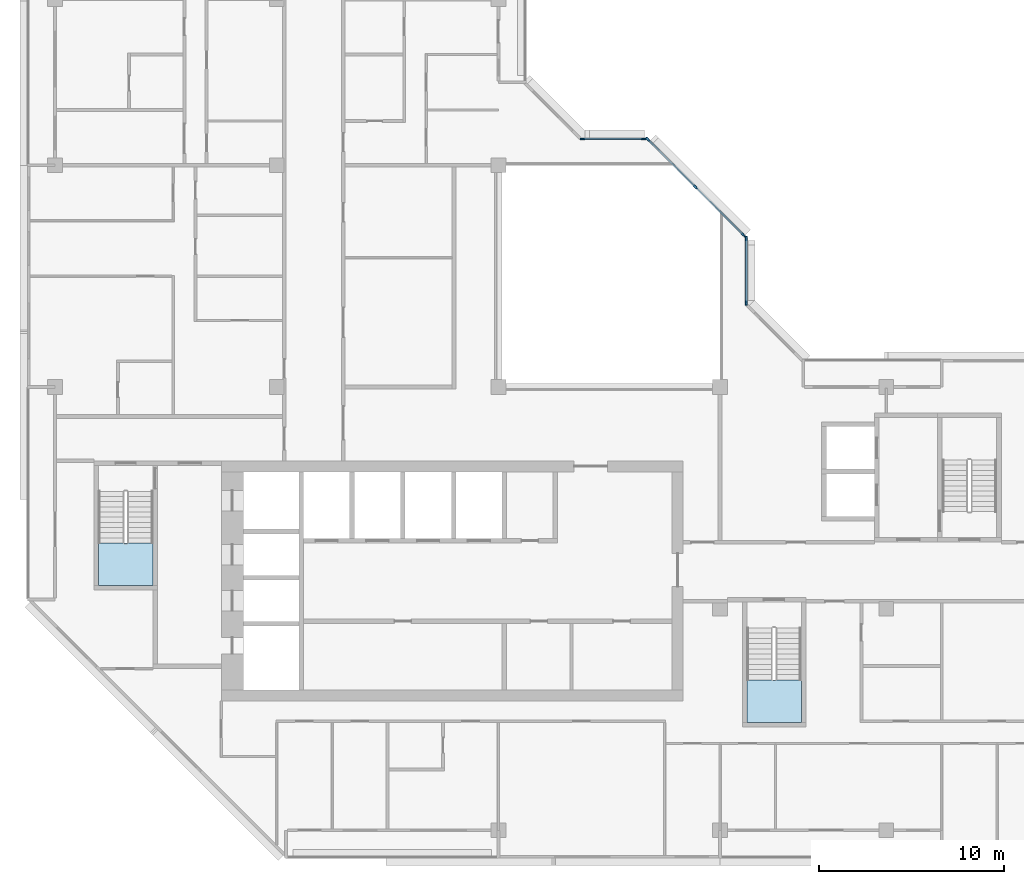
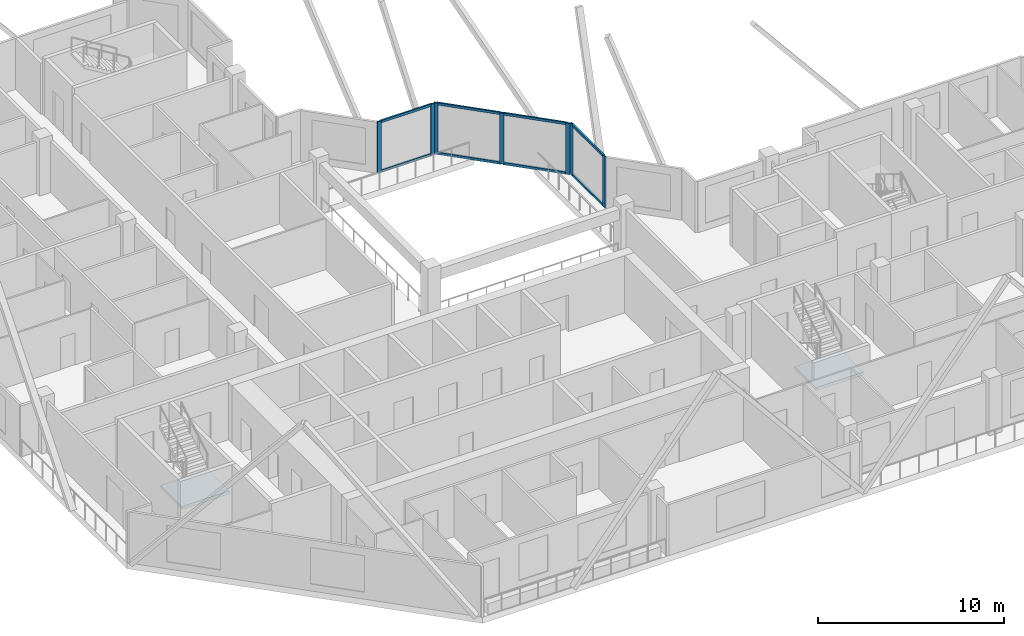
# One storey, part 2 of 13: 15 members, 2 slabs, 5 elements without a shape of their own.
"""IFC4 building model written with IfcOpenShell, lengths in metres."""

from ifc_helpers import new_model, si_unit, direction, frame, origin, origin_2d, place, context, subcontext, project, spatial, polyline, rectangle, outline, extrude, material, layer, layer_set, material_profile, profile_set, type_object, element, aggregate, save


model = new_model("IFC4")

# Units and contexts
model_context = context("Model", 3, precision=1e-05, world=origin(), true_north=direction((0.0, 1.0)))
body_context = subcontext(model_context, "Body", "Model", "MODEL_VIEW")
ifc_project = project(units=[si_unit("LENGTHUNIT", "METRE"), si_unit("AREAUNIT", "SQUARE_METRE"), si_unit("VOLUMEUNIT", "CUBIC_METRE"), si_unit("PLANEANGLEUNIT", "RADIAN"), si_unit("MASSUNIT", "GRAM", prefix="KILO")], contexts=[model_context])

# Site, building, storey
site_placement = place(None, origin())
site = spatial("IfcSite", under=ifc_project, at=site_placement, CompositionType="ELEMENT")
building_placement = place(site_placement, origin())
building = spatial("IfcBuilding", under=site, at=building_placement, Name="Chenar Terraces", CompositionType="ELEMENT")
storey_placement = place(building_placement, frame((0.0, 0.0, 310.89990234375)))
storey = spatial("IfcBuildingStorey", under=building, at=storey_placement, Name="L73", CompositionType="ELEMENT", Elevation=310.89990234375)

# Curtain wall, members
ifc_material_1 = material(Name="Aluminium framed glazing", Category="aluminium")
ifc_layer_1 = layer(ifc_material_1, 0.14990234375)
ifc_layer_set_1 = layer_set([ifc_layer_1], Name="Aluminium framed glazing")
curtain_wall_type = type_object("IfcCurtainWallType", Name="Atrium upper-zone curtain wall", PredefinedType="NOTDEFINED", material=ifc_layer_set_1)
placement_1 = place(storey_placement, origin())
curtain_wall_1 = element("IfcCurtainWall", 1, at=placement_1, inside=storey, type_object=curtain_wall_type, Name="Atrium upper-zone curtain wall", PredefinedType="NOTDEFINED")
ifc_material_2 = material(Name="Aluminium", Category="aluminium")
ifc_material_profile_1 = material_profile(ifc_material_2, rectangle(XDim=0.10009765625, YDim=0.239990234375, at=origin_2d()), Name="Atrium upper-zone glazing mullion 100 x 240")
ifc_profile_set_1 = profile_set([ifc_material_profile_1], Name="Aluminium")
member_type_1 = type_object("IfcMemberType", Name="Atrium upper-zone glazing mullion 100 x 240", PredefinedType="MULLION", material=ifc_profile_set_1)
member_1_placement = place(storey_placement, frame((37.425048828125, 28.550048828125, 0.0), z_axis=(0.0, 0.0, 1.0), x_axis=(-1.0, 0.0, 0.0)))
member_1 = element("IfcMember", 2, at=member_1_placement, type_object=member_type_1, Name="CW8-1 mullion 1", PredefinedType="MULLION", context=body_context, shape_type="SweptSolid", body=[
    extrude(rectangle(XDim=0.10009765625, YDim=0.239990234375, at=origin_2d()), origin(), (0.0, 0.0, 1.0), 3.35009765625),
])
member_2_placement = place(storey_placement, frame((37.425048828125, 32.050048828125, 0.0), z_axis=(0.0, 0.0, 1.0), x_axis=(-1.0, 0.0, 0.0)))
member_2 = element("IfcMember", 3, at=member_2_placement, type_object=member_type_1, Name="CW8-1 mullion 2", PredefinedType="MULLION", context=body_context, shape_type="SweptSolid", body=[
    extrude(rectangle(XDim=0.10009765625, YDim=0.239990234375, at=origin_2d()), origin(), (0.0, 0.0, 1.0), 3.35009765625),
])

curtain_wall_2 = element("IfcCurtainWall", 4, at=placement_1, inside=storey, type_object=curtain_wall_type, Name="Atrium upper-zone curtain wall", PredefinedType="NOTDEFINED")
member_3_placement = place(storey_placement, frame((37.270263671875, 32.2236328125, 0.0), z_axis=(0.0, 0.0, 1.0), x_axis=(-0.707106781187, -0.707106781187, 0.0)))
member_3 = element("IfcMember", 5, at=member_3_placement, type_object=member_type_1, Name="CW8-2 mullion 1", PredefinedType="MULLION", context=body_context, shape_type="SweptSolid", body=[
    extrude(rectangle(XDim=0.10009765625, YDim=0.239990234375, at=origin_2d()), origin(), (0.0, 0.0, 1.0), 3.35009765625),
])
member_4_placement = place(storey_placement, frame((34.67626953125, 34.817626953125, 0.0), z_axis=(0.0, 0.0, 1.0), x_axis=(-0.707106781187, -0.707106781187, 0.0)))
member_4 = element("IfcMember", 6, at=member_4_placement, type_object=member_type_1, Name="CW8-2 mullion 2", PredefinedType="MULLION", context=body_context, shape_type="SweptSolid", body=[
    extrude(rectangle(XDim=0.10009765625, YDim=0.239990234375, at=origin_2d()), origin(), (0.0, 0.0, 1.0), 3.35009765625),
])
member_5_placement = place(storey_placement, frame((32.082275390625, 37.41162109375, 0.0), z_axis=(0.0, 0.0, 1.0), x_axis=(-0.707106781187, -0.707106781187, 0.0)))
member_5 = element("IfcMember", 7, at=member_5_placement, type_object=member_type_1, Name="CW8-2 mullion 3", PredefinedType="MULLION", context=body_context, shape_type="SweptSolid", body=[
    extrude(rectangle(XDim=0.10009765625, YDim=0.239990234375, at=origin_2d()), origin(), (0.0, 0.0, 1.0), 3.35009765625),
])

curtain_wall_3 = element("IfcCurtainWall", 8, at=placement_1, inside=storey, type_object=curtain_wall_type, Name="Atrium upper-zone curtain wall", PredefinedType="NOTDEFINED")
member_6_placement = place(storey_placement, frame((31.85009765625, 37.425048828125, 0.0), z_axis=(0.0, 0.0, 1.0), x_axis=(0.0, -1.0, 0.0)))
member_6 = element("IfcMember", 9, at=member_6_placement, type_object=member_type_1, Name="CW8-3 mullion 1", PredefinedType="MULLION", context=body_context, shape_type="SweptSolid", body=[
    extrude(rectangle(XDim=0.10009765625, YDim=0.239990234375, at=origin_2d()), origin(), (0.0, 0.0, 1.0), 3.35009765625),
])
member_7_placement = place(storey_placement, frame((28.550048828125, 37.425048828125, 0.0), z_axis=(0.0, 0.0, 1.0), x_axis=(0.0, -1.0, 0.0)))
member_7 = element("IfcMember", 10, at=member_7_placement, type_object=member_type_1, Name="CW8-3 mullion 2", PredefinedType="MULLION", context=body_context, shape_type="SweptSolid", body=[
    extrude(rectangle(XDim=0.10009765625, YDim=0.239990234375, at=origin_2d()), origin(), (0.0, 0.0, 1.0), 3.35009765625),
])

# Member
ifc_material_3 = material(Name="Aluminium", Category="aluminium")
ifc_material_profile_2 = material_profile(ifc_material_3, rectangle(XDim=0.10009765625, YDim=0.159912109375, at=origin_2d()), Name="Atrium upper-zone glazing transom 100 x 160")
ifc_profile_set_2 = profile_set([ifc_material_profile_2], Name="Aluminium")
member_type_2 = type_object("IfcMemberType", Name="Atrium upper-zone glazing transom 100 x 160", PredefinedType="USERDEFINED", material=ifc_profile_set_2)
member_8_placement = place(storey_placement, frame((37.425048828125, 28.60009765625, 0.050048828125), z_axis=(0.0, 1.0, 0.0), x_axis=(-1.0, 0.0, 0.0)))
member_8 = element("IfcMember", 11, at=member_8_placement, type_object=member_type_2, Name="CW8-1 transom 1.1", ObjectType="TRANSOM", PredefinedType="USERDEFINED", context=body_context, shape_type="SweptSolid", body=[
    extrude(rectangle(XDim=0.10009765625, YDim=0.159912109375, at=origin_2d()), origin(), (0.0, 0.0, 1.0), 3.39990234375),
])

member_9_placement = place(storey_placement, frame((37.425048828125, 28.60009765625, 3.300048828125), z_axis=(0.0, 1.0, 0.0), x_axis=(-1.0, 0.0, 0.0)))
member_9 = element("IfcMember", 12, at=member_9_placement, type_object=member_type_2, Name="CW8-1 transom 1.2", ObjectType="TRANSOM", PredefinedType="USERDEFINED", context=body_context, shape_type="SweptSolid", body=[
    extrude(rectangle(XDim=0.10009765625, YDim=0.159912109375, at=origin_2d()), origin(), (0.0, 0.0, 1.0), 3.39990234375),
])

aggregate(curtain_wall_1, [member_1, member_2, member_8, member_9])

member_10_placement = place(storey_placement, frame((37.23486328125, 32.259033203125, 0.050048828125), z_axis=(-0.707106781187, 0.707106781187, 0.0), x_axis=(-0.707106781187, -0.707106781187, 0.0)))
member_10 = element("IfcMember", 13, at=member_10_placement, type_object=member_type_2, Name="CW8-2 transom 1.1", ObjectType="TRANSOM", PredefinedType="USERDEFINED", context=body_context, shape_type="SweptSolid", body=[
    extrude(rectangle(XDim=0.10009765625, YDim=0.159912109375, at=origin_2d()), origin(), (0.0, 0.0, 1.0), 3.568359375),
])

member_11_placement = place(storey_placement, frame((37.23486328125, 32.259033203125, 3.300048828125), z_axis=(-0.707106781187, 0.707106781187, 0.0), x_axis=(-0.707106781187, -0.707106781187, 0.0)))
member_11 = element("IfcMember", 14, at=member_11_placement, type_object=member_type_2, Name="CW8-2 transom 1.2", ObjectType="TRANSOM", PredefinedType="USERDEFINED", context=body_context, shape_type="SweptSolid", body=[
    extrude(rectangle(XDim=0.10009765625, YDim=0.159912109375, at=origin_2d()), origin(), (0.0, 0.0, 1.0), 3.568359375),
])

member_12_placement = place(storey_placement, frame((34.640869140625, 34.85302734375, 0.050048828125), z_axis=(-0.707106781187, 0.707106781187, 0.0), x_axis=(-0.707106781187, -0.707106781187, 0.0)))
member_12 = element("IfcMember", 15, at=member_12_placement, type_object=member_type_2, Name="CW8-2 transom 2.1", ObjectType="TRANSOM", PredefinedType="USERDEFINED", context=body_context, shape_type="SweptSolid", body=[
    extrude(rectangle(XDim=0.10009765625, YDim=0.159912109375, at=origin_2d()), origin(), (0.0, 0.0, 1.0), 3.568359375),
])

member_13_placement = place(storey_placement, frame((34.640869140625, 34.85302734375, 3.300048828125), z_axis=(-0.707106781187, 0.707106781187, 0.0), x_axis=(-0.707106781187, -0.707106781187, 0.0)))
member_13 = element("IfcMember", 16, at=member_13_placement, type_object=member_type_2, Name="CW8-2 transom 2.2", ObjectType="TRANSOM", PredefinedType="USERDEFINED", context=body_context, shape_type="SweptSolid", body=[
    extrude(rectangle(XDim=0.10009765625, YDim=0.159912109375, at=origin_2d()), origin(), (0.0, 0.0, 1.0), 3.568359375),
])

aggregate(curtain_wall_2, [member_3, member_4, member_5, member_10, member_11, member_12, member_13])

member_14_placement = place(storey_placement, frame((31.800048828125, 37.425048828125, 0.050048828125), z_axis=(-1.0, 0.0, 0.0), x_axis=(0.0, -1.0, 0.0)))
member_14 = element("IfcMember", 17, at=member_14_placement, type_object=member_type_2, Name="CW8-3 transom 1.1", ObjectType="TRANSOM", PredefinedType="USERDEFINED", context=body_context, shape_type="SweptSolid", body=[
    extrude(rectangle(XDim=0.10009765625, YDim=0.159912109375, at=origin_2d()), origin(), (0.0, 0.0, 1.0), 3.199951171875),
])

member_15_placement = place(storey_placement, frame((31.800048828125, 37.425048828125, 3.300048828125), z_axis=(-1.0, 0.0, 0.0), x_axis=(0.0, -1.0, 0.0)))
member_15 = element("IfcMember", 18, at=member_15_placement, type_object=member_type_2, Name="CW8-3 transom 1.2", ObjectType="TRANSOM", PredefinedType="USERDEFINED", context=body_context, shape_type="SweptSolid", body=[
    extrude(rectangle(XDim=0.10009765625, YDim=0.159912109375, at=origin_2d()), origin(), (0.0, 0.0, 1.0), 3.199951171875),
])

aggregate(curtain_wall_3, [member_6, member_7, member_14, member_15])

# Stair, slab
ifc_material_4 = material(Name="Reinforced concrete C40/50", Category="concrete")
stair_type = type_object("IfcStairType", Name="Core stair 1400 half-turn", PredefinedType="HALF_TURN_STAIR", material=ifc_material_4)
stair_1 = element("IfcStair", 19, at=placement_1, inside=storey, type_object=stair_type, Name="L73 Stair 1", PredefinedType="HALF_TURN_STAIR")
ifc_material_5 = material(Name="Reinforced concrete C40/50", Category="concrete")
ifc_layer_2 = layer(ifc_material_5, 0.199951171875)
ifc_layer_set_2 = layer_set([ifc_layer_2], Name="Reinforced concrete C40/50")
slab_type = type_object("IfcSlabType", Name="Core stair landing 200", PredefinedType="LANDING", material=ifc_layer_set_2)
placement_2 = place(storey_placement, frame((0.0, 0.0, 1.675048828125)))
slab_1 = element("IfcSlab", 20, at=placement_2, type_object=slab_type, Name="ST1 landing 1", PredefinedType="LANDING", context=body_context, shape_type="SweptSolid", body=[
    extrude(outline(polyline([(2.35009765625, 15.550048828125), (2.35009765625, 13.25), (5.300048828125, 13.25), (5.300048828125, 15.550048828125), (2.35009765625, 15.550048828125)])), origin(), (0.0, 0.0, 1.0), 0.199951171875),
])
aggregate(stair_1, [slab_1])

stair_2 = element("IfcStair", 21, at=placement_1, inside=storey, type_object=stair_type, Name="L73 Stair 2", PredefinedType="HALF_TURN_STAIR")
slab_2 = element("IfcSlab", 22, at=placement_2, type_object=slab_type, Name="ST2 landing 1", PredefinedType="LANDING", context=body_context, shape_type="SweptSolid", body=[
    extrude(outline(polyline([(37.449951171875, 8.14990234375), (37.449951171875, 5.85009765625), (40.39990234375, 5.85009765625), (40.39990234375, 8.14990234375), (37.449951171875, 8.14990234375)])), origin(), (0.0, 0.0, 1.0), 0.199951171875),
])
aggregate(stair_2, [slab_2])

save(model, "model.ifc")
